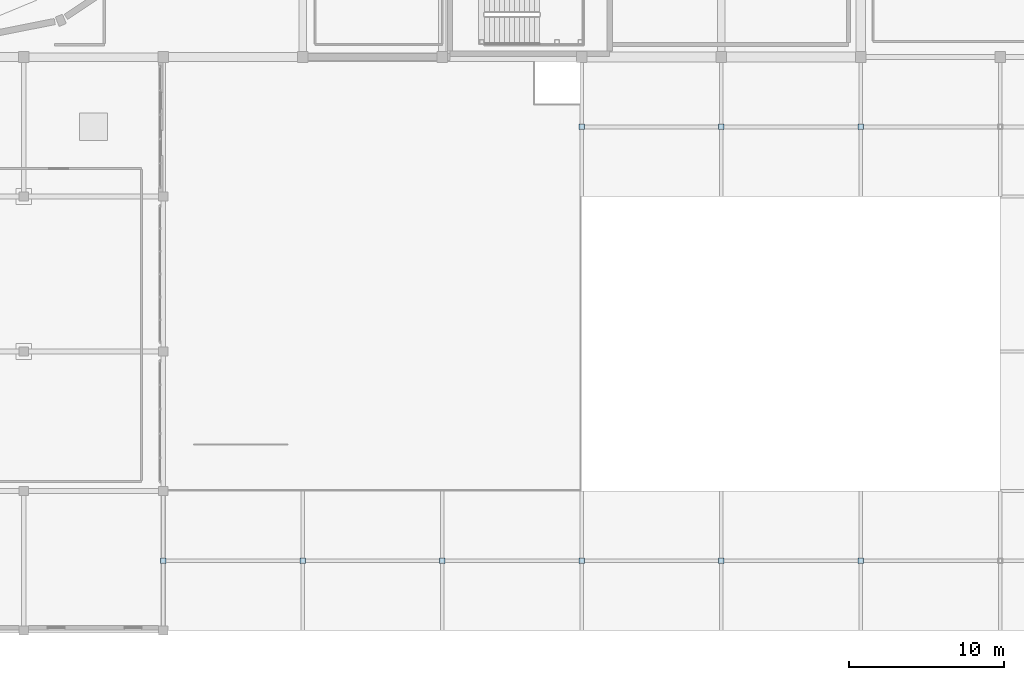
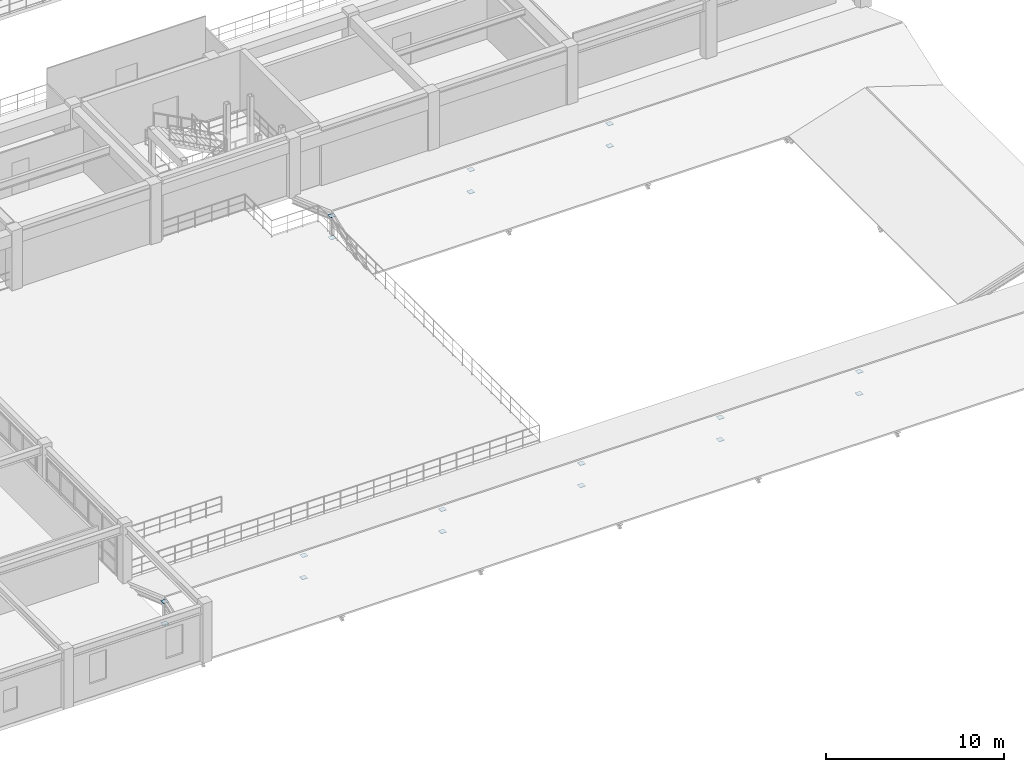
# One storey, part 89 of 110: 18 plates.
"""IFC4 building model written with IfcOpenShell, lengths in metres."""

from ifc_helpers import new_model, si_unit, direction, frame, origin, origin_2d, place, context, subcontext, project, spatial, rectangle, extrude, material, layer, layer_set, type_object, element, save


model = new_model("IFC4")

# Units and contexts
model_context = context("Model", 3, precision=1e-05, world=origin(), true_north=direction((0.0, 1.0)))
body_context = subcontext(model_context, "Body", "Model", "MODEL_VIEW")
ifc_project = project(units=[si_unit("LENGTHUNIT", "METRE"), si_unit("AREAUNIT", "SQUARE_METRE"), si_unit("VOLUMEUNIT", "CUBIC_METRE"), si_unit("PLANEANGLEUNIT", "RADIAN"), si_unit("MASSUNIT", "GRAM", prefix="KILO")], contexts=[model_context])

# Site, building, storey
site_placement = place(None, origin())
site = spatial("IfcSite", under=ifc_project, at=site_placement, CompositionType="ELEMENT")
building_placement = place(site_placement, origin())
building = spatial("IfcBuilding", under=site, at=building_placement, Name="Miravela Opera House", CompositionType="ELEMENT")
storey_placement = place(building_placement, frame((0.0, 0.0, 13.60009765625)))
storey = spatial("IfcBuildingStorey", under=building, at=storey_placement, Name="L03", CompositionType="ELEMENT", Elevation=13.60009765625)

# Plates
ifc_material = material(Name="Structural steel ASTM A572 Gr. 50", Category="steel")
ifc_layer = layer(ifc_material, 0.02001953125)
ifc_layer_set = layer_set([ifc_layer])
plate_type = type_object("IfcPlateType", Name="STR-PL-CAP-350X350X20", PredefinedType="SHEET", material=ifc_layer_set)
for number, where, z_axis, x_axis, name in (
    (1, (90.0, 4.5, -0.26416015625), (0.0, 0.0, 1.0), (1.0, 0.0, 0.0), "HSS Welded End Cap Plate 122"),
    (2, (90.0, 4.5, 1.25390625), (0.0, 0.0, 1.0), (1.0, 0.0, 0.0), "HSS Welded End Cap Plate 123"),
    (3, (99.0, 4.5, -0.26416015625), (0.0, 0.0, 1.0), (1.0, 0.0, 0.0), "HSS Welded End Cap Plate 124"),
    (4, (99.0, 4.5, 1.25390625), (0.0, 0.0, 1.0), (1.0, 0.0, 0.0), "HSS Welded End Cap Plate 125"),
    (5, (108.0, 4.5, -0.26416015625), (0.0, 0.0, 1.0), (1.0, 0.0, 0.0), "HSS Welded End Cap Plate 126"),
    (6, (108.0, 4.5, 1.25390625), (0.0, 0.0, 1.0), (1.0, 0.0, 0.0), "HSS Welded End Cap Plate 127"),
    (7, (117.0, 4.5, -0.26416015625), (0.0, 0.0, 1.0), (1.0, 0.0, 0.0), "HSS Welded End Cap Plate 128"),
    (8, (117.0, 4.5, 1.25390625), (0.0, 0.0, 1.0), (1.0, 0.0, 0.0), "HSS Welded End Cap Plate 129"),
    (9, (126.0, 4.5, -0.26416015625), (0.0, 0.0, 1.0), (1.0, 0.0, 0.0), "HSS Welded End Cap Plate 130"),
    (10, (126.0, 4.5, 1.25390625), (0.0, 0.0, 1.0), (1.0, 0.0, 0.0), "HSS Welded End Cap Plate 131"),
    (11, (135.0, 4.5, -0.26416015625), (0.0, 0.0, 1.0), (1.0, 0.0, 0.0), "HSS Welded End Cap Plate 132"),
    (12, (135.0, 4.5, 1.25390625), (0.0, 0.0, 1.0), (1.0, 0.0, 0.0), "HSS Welded End Cap Plate 133"),
    (13, (117.0, 32.5, -0.26416015625), (0.0, 0.0, 1.0), (1.0, 0.0, 0.0), "HSS Welded End Cap Plate 144"),
    (14, (117.0, 32.5, 1.25390625), (0.0, 0.0, 1.0), (1.0, 0.0, 0.0), "HSS Welded End Cap Plate 145"),
    (15, (126.0, 32.5, -0.26416015625), (0.0, 0.0, 1.0), (1.0, 0.0, 0.0), "HSS Welded End Cap Plate 146"),
    (16, (126.0, 32.5, 1.25390625), (0.0, 0.0, 1.0), (1.0, 0.0, 0.0), "HSS Welded End Cap Plate 147"),
    (17, (135.0, 32.5, -0.26416015625), (0.0, 0.0, 1.0), (1.0, 0.0, 0.0), "HSS Welded End Cap Plate 148"),
    (18, (135.0, 32.5, 1.25390625), (0.0, 0.0, 1.0), (1.0, 0.0, 0.0), "HSS Welded End Cap Plate 149"),
):
    element("IfcPlate", number, at=place(storey_placement, frame(where, z_axis=z_axis, x_axis=x_axis)), inside=storey, type_object=plate_type, Name=name, PredefinedType="SHEET", context=body_context, shape_type="SweptSolid", body=[
        extrude(rectangle(XDim=0.35009765625, YDim=0.35009765625, at=origin_2d()), origin(), (0.0, 0.0, 1.0), 0.02001953125),
    ])

save(model, "model.ifc")
